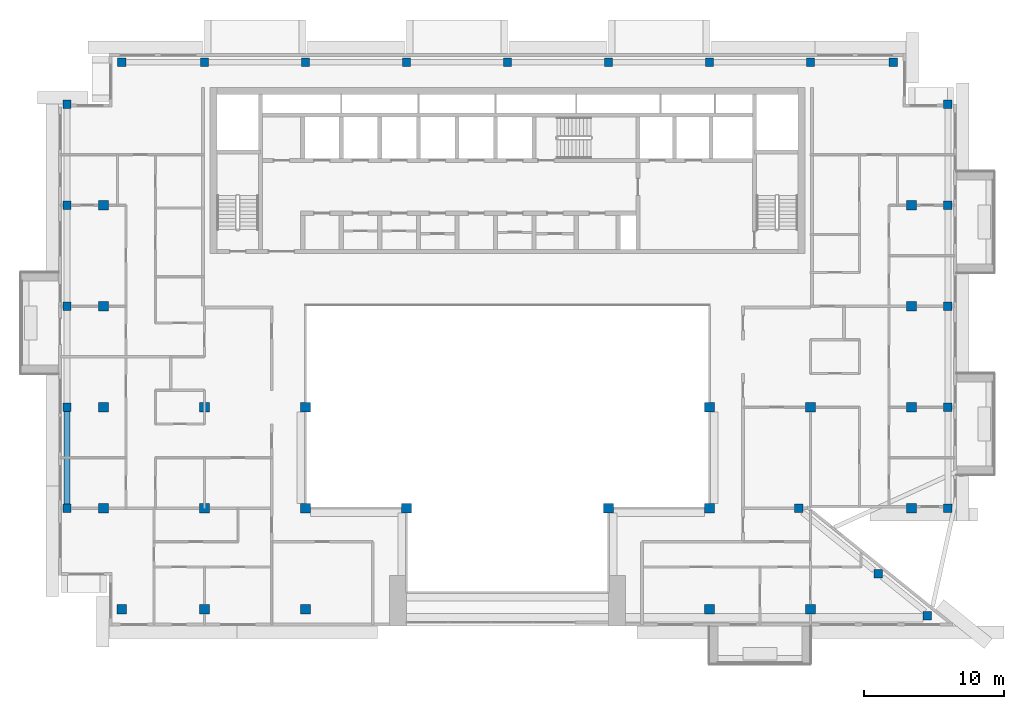
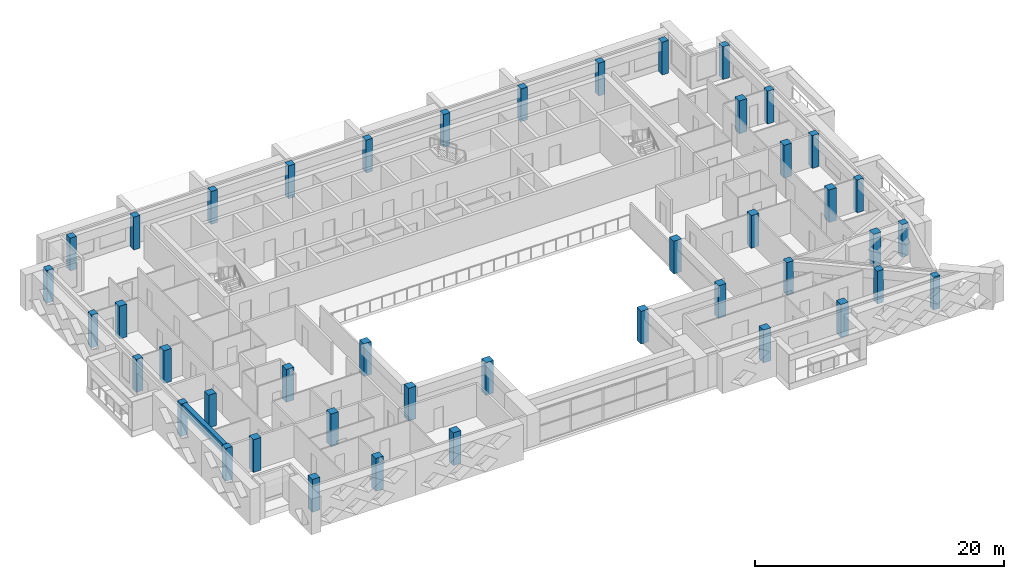
# One storey, part 1 of 19: 44 columns, 1 beam.
"""IFC4 building model written with IfcOpenShell, lengths in metres."""

from ifc_helpers import new_model, si_unit, direction, frame, origin, origin_2d, place, context, subcontext, project, spatial, rectangle, extrude, source, transform, mapped, material, material_profile, profile_set, type_object, element, save


model = new_model("IFC4")

# Units and contexts
model_context = context("Model", 3, precision=1e-05, world=origin(), true_north=direction((0.0, 1.0)))
body_context = subcontext(model_context, "Body", "Model", "MODEL_VIEW")
ifc_project = project(units=[si_unit("LENGTHUNIT", "METRE"), si_unit("AREAUNIT", "SQUARE_METRE"), si_unit("VOLUMEUNIT", "CUBIC_METRE"), si_unit("PLANEANGLEUNIT", "RADIAN"), si_unit("MASSUNIT", "GRAM", prefix="KILO")], contexts=[model_context])

# Site, building, storey
site_placement = place(None, origin())
site = spatial("IfcSite", under=ifc_project, at=site_placement, CompositionType="ELEMENT")
building_placement = place(site_placement, origin())
building = spatial("IfcBuilding", under=site, at=building_placement, Name="Saffron Iwan Residences", CompositionType="ELEMENT")
storey_placement = place(building_placement, frame((0.0, 0.0, 253.5)))
storey = spatial("IfcBuildingStorey", under=building, at=storey_placement, Name="L68", CompositionType="ELEMENT", Elevation=253.5)

# Columns
ifc_material = material(Name="Concrete C40/50", Category="concrete")
ifc_material_profile_1 = material_profile(ifc_material, rectangle(XDim=0.699951171875, YDim=0.699951171875, at=origin_2d()), Name="RC 700x700")
ifc_profile_set_1 = profile_set([ifc_material_profile_1], Name="Concrete C40/50")
column_type_1 = type_object("IfcColumnType", Name="COL RC 700x700 C40/50 3220 HIGH", PredefinedType="COLUMN", material=ifc_profile_set_1)
shared_shape_1 = source(origin(), body_context, "Body", "SweptSolid", [
    extrude(rectangle(XDim=0.699951171875, YDim=0.699951171875, at=origin_2d()), origin(), (0.0, 0.0, 1.0), 3.219970703125),
])
for number, where, z_axis, x_axis, name in (
    (1, (22.89990234375, 40.800048828125, 0.0), (0.0, 0.0, 1.0), (1.0, 0.0, 0.0), "Column C050"),
    (2, (28.800048828125, 40.800048828125, 0.0), (0.0, 0.0, 1.0), (1.0, 0.0, 0.0), "Column C051"),
    (3, (36.0, 40.800048828125, 0.0), (0.0, 0.0, 1.0), (1.0, 0.0, 0.0), "Column C052"),
    (4, (64.800048828125, 40.800048828125, 0.0), (0.0, 0.0, 1.0), (1.0, 0.0, 0.0), "Column C055"),
    (5, (72.0, 40.800048828125, 0.0), (0.0, 0.0, 1.0), (1.0, 0.0, 0.0), "Column C056"),
    (6, (21.60009765625, 48.0, 0.0), (0.0, 0.0, 1.0), (1.0, 0.0, 0.0), "Column C063"),
    (7, (28.800048828125, 48.0, 0.0), (0.0, 0.0, 1.0), (1.0, 0.0, 0.0), "Column C064"),
    (8, (36.0, 48.0, 0.0), (0.0, 0.0, 1.0), (1.0, 0.0, 0.0), "Column C065"),
    (9, (43.199951171875, 48.0, 0.0), (0.0, 0.0, 1.0), (1.0, 0.0, 0.0), "Column C066"),
    (10, (57.60009765625, 48.0, 0.0), (0.0, 0.0, 1.0), (1.0, 0.0, 0.0), "Column C068"),
    (11, (64.800048828125, 48.0, 0.0), (0.0, 0.0, 1.0), (1.0, 0.0, 0.0), "Column C069"),
    (12, (79.199951171875, 48.0, 0.0), (0.0, 0.0, 1.0), (1.0, 0.0, 0.0), "Column C072"),
    (13, (21.60009765625, 55.199951171875, 0.0), (0.0, 0.0, 1.0), (1.0, 0.0, 0.0), "Column C079"),
    (14, (28.800048828125, 55.199951171875, 0.0), (0.0, 0.0, 1.0), (1.0, 0.0, 0.0), "Column C080"),
    (15, (36.0, 55.199951171875, 0.0), (0.0, 0.0, 1.0), (1.0, 0.0, 0.0), "Column C081"),
    (16, (64.800048828125, 55.199951171875, 0.0), (0.0, 0.0, 1.0), (1.0, 0.0, 0.0), "Column C082"),
    (17, (72.0, 55.199951171875, 0.0), (0.0, 0.0, 1.0), (1.0, 0.0, 0.0), "Column C083"),
    (18, (79.199951171875, 55.199951171875, 0.0), (0.0, 0.0, 1.0), (1.0, 0.0, 0.0), "Column C084"),
    (19, (21.60009765625, 62.39990234375, 0.0), (0.0, 0.0, 1.0), (1.0, 0.0, 0.0), "Column C091"),
    (20, (79.199951171875, 62.39990234375, 0.0), (0.0, 0.0, 1.0), (1.0, 0.0, 0.0), "Column C092"),
    (21, (21.60009765625, 69.60009765625, 0.0), (0.0, 0.0, 1.0), (1.0, 0.0, 0.0), "Column C099"),
    (22, (79.199951171875, 69.60009765625, 0.0), (0.0, 0.0, 1.0), (1.0, 0.0, 0.0), "Column C100"),
):
    element("IfcColumn", number, at=place(storey_placement, frame(where, z_axis=z_axis, x_axis=x_axis)), inside=storey, type_object=column_type_1, Name=name, PredefinedType="COLUMN", context=body_context, shape_type="MappedRepresentation", body=[
        mapped(shared_shape_1, transform((0.0, 0.0, 0.0))),
    ])
ifc_material_profile_2 = material_profile(ifc_material, rectangle(XDim=0.60009765625, YDim=0.60009765625, at=origin_2d()), Name="RC 600x600")
ifc_profile_set_2 = profile_set([ifc_material_profile_2], Name="Concrete C40/50")
column_type_2 = type_object("IfcColumnType", Name="COL RC 600x600 C40/50 3220 HIGH", PredefinedType="COLUMN", material=ifc_profile_set_2)
shared_shape_2 = source(origin(), body_context, "Body", "SweptSolid", [
    extrude(rectangle(XDim=0.60009765625, YDim=0.60009765625, at=origin_2d()), origin(), (0.0, 0.0, 1.0), 3.219970703125),
])
for number, where, z_axis, x_axis, name in (
    (23, (80.32568359375, 40.3330078125, 0.0), (0.0, 0.0, 1.0), (1.0, 0.0, 0.0), "Column C046"),
    (24, (76.822998046875, 43.333251953125, 0.0), (0.0, 0.0, 1.0), (1.0, 0.0, 0.0), "Column C057"),
    (25, (19.0, 48.0, 0.0), (0.0, 0.0, 1.0), (1.0, 0.0, 0.0), "Column C062"),
    (26, (71.14990234375, 48.0, 0.0), (0.0, 0.0, 1.0), (1.0, 0.0, 0.0), "Column C070"),
    (27, (81.800048828125, 48.0, 0.0), (0.0, 0.0, 1.0), (1.0, 0.0, 0.0), "Column C073"),
    (28, (19.0, 55.199951171875, 0.0), (0.0, 0.0, 1.0), (1.0, 0.0, 0.0), "Column C078"),
    (29, (81.800048828125, 55.199951171875, 0.0), (0.0, 0.0, 1.0), (1.0, 0.0, 0.0), "Column C085"),
    (30, (19.0, 62.39990234375, 0.0), (0.0, 0.0, 1.0), (1.0, 0.0, 0.0), "Column C090"),
    (31, (81.800048828125, 62.39990234375, 0.0), (0.0, 0.0, 1.0), (1.0, 0.0, 0.0), "Column C093"),
    (32, (19.0, 69.60009765625, 0.0), (0.0, 0.0, 1.0), (1.0, 0.0, 0.0), "Column C098"),
    (33, (81.800048828125, 69.60009765625, 0.0), (0.0, 0.0, 1.0), (1.0, 0.0, 0.0), "Column C101"),
    (34, (19.0, 76.800048828125, 0.0), (0.0, 0.0, 1.0), (1.0, 0.0, 0.0), "Column C106"),
    (35, (81.800048828125, 76.800048828125, 0.0), (0.0, 0.0, 1.0), (1.0, 0.0, 0.0), "Column C109"),
    (36, (22.89990234375, 79.800048828125, 0.0), (0.0, 0.0, 1.0), (1.0, 0.0, 0.0), "Column C114"),
    (37, (28.800048828125, 79.800048828125, 0.0), (0.0, 0.0, 1.0), (1.0, 0.0, 0.0), "Column C115"),
    (38, (36.0, 79.800048828125, 0.0), (0.0, 0.0, 1.0), (1.0, 0.0, 0.0), "Column C116"),
    (39, (43.199951171875, 79.800048828125, 0.0), (0.0, 0.0, 1.0), (1.0, 0.0, 0.0), "Column C117"),
    (40, (50.39990234375, 79.800048828125, 0.0), (0.0, 0.0, 1.0), (1.0, 0.0, 0.0), "Column C118"),
    (41, (57.60009765625, 79.800048828125, 0.0), (0.0, 0.0, 1.0), (1.0, 0.0, 0.0), "Column C119"),
    (42, (64.800048828125, 79.800048828125, 0.0), (0.0, 0.0, 1.0), (1.0, 0.0, 0.0), "Column C120"),
    (43, (72.0, 79.800048828125, 0.0), (0.0, 0.0, 1.0), (1.0, 0.0, 0.0), "Column C121"),
    (44, (77.89990234375, 79.800048828125, 0.0), (0.0, 0.0, 1.0), (1.0, 0.0, 0.0), "Column C122"),
):
    element("IfcColumn", number, at=place(storey_placement, frame(where, z_axis=z_axis, x_axis=x_axis)), inside=storey, type_object=column_type_2, Name=name, PredefinedType="COLUMN", context=body_context, shape_type="MappedRepresentation", body=[
        mapped(shared_shape_2, transform((0.0, 0.0, 0.0))),
    ])

# Beam
ifc_material_profile_3 = material_profile(ifc_material, rectangle(XDim=0.39990234375, YDim=0.89990234375, at=origin_2d()), Name="RC 400x900")
ifc_profile_set_3 = profile_set([ifc_material_profile_3], Name="Concrete C40/50")
beam_type = type_object("IfcBeamType", Name="SPANDREL BEAM RC 400x900 C40/50 TOP 3220", PredefinedType="SPANDREL", material=ifc_profile_set_3)
shared_shape_3 = source(origin(), body_context, "Body", "SweptSolid", [
    extrude(rectangle(XDim=0.39990234375, YDim=0.89990234375, at=origin_2d()), origin(), (0.0, 0.0, 1.0), 6.599853515625),
])
beam_placement = place(storey_placement, frame((19.0, 48.300048828125, 2.77001953125), z_axis=(0.0, 1.0, 0.0), x_axis=(-1.0, 0.0, 0.0)))
element("IfcBeam", 45, at=beam_placement, inside=storey, type_object=beam_type, Name="Spandrel beam", PredefinedType="SPANDREL", context=body_context, shape_type="MappedRepresentation", body=[
    mapped(shared_shape_3, transform((0.0, 0.0, 0.0))),
])

save(model, "model.ifc")
